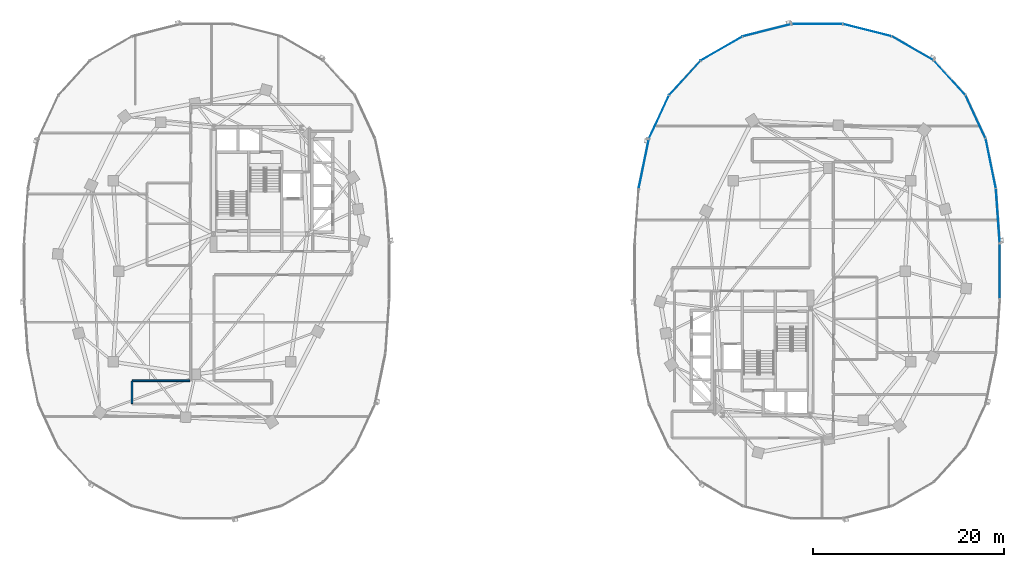
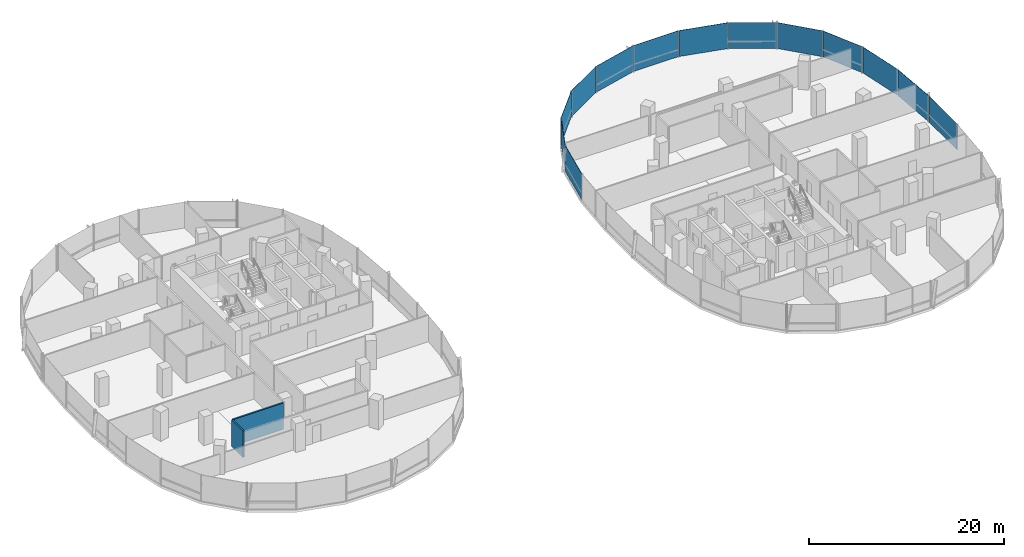
# One storey, part 10 of 21: 13 plates, 2 walls, 3 elements without a shape of their own.
"""IFC4 building model written with IfcOpenShell, lengths in metres."""

import ifcopenshell
import ifcopenshell.guid

model = None  # the IFC model being written
_history = None  # IfcOwnerHistory: only IFC2X3 demands one
_inside = {}  # id of a spatial element -> (the spatial element, [elements in it])
_under = {}  # id of a project, library or spatial element -> (it, [spatial elements below it])
_declared = {}  # id of a project -> (the project, [libraries it declares])
_typed = {}  # id of a type object -> (the type object, [elements of that type])
_made_of = {}  # id of a material, layer set ... -> (it, [elements and type objects made of it])


def new_model(schema):
    """Start an empty IFC model of exactly this schema.

    Asked for "IFC4X3", IfcOpenShell would pick the latest addendum, in which some entities
    have other attributes; the version numbers below select the first issue.
    IFC2X3 requires an IfcOwnerHistory on every rooted entity: one is made here for all.
    """
    global model, _history
    if schema == "IFC4X3":
        model = ifcopenshell.file(schema_version=(4, 3, 0, 0))
    else:
        model = ifcopenshell.file(schema=schema)
    _inside.clear()
    _under.clear()
    _declared.clear()
    _typed.clear()
    _made_of.clear()
    _history = None
    if model.schema == "IFC2X3":
        org = make("IfcOrganization", Name="unknown")
        user = make(
            "IfcPersonAndOrganization",
            ThePerson=make("IfcPerson", FamilyName="unknown"),
            TheOrganization=org,
        )
        app = make(
            "IfcApplication",
            ApplicationDeveloper=org,
            Version="unknown",
            ApplicationFullName="unknown",
            ApplicationIdentifier="unknown",
        )
        _history = make(
            "IfcOwnerHistory",
            OwningUser=user,
            OwningApplication=app,
            ChangeAction="ADDED",
            CreationDate=0,
        )
    return model


def make(cls, **values):
    """One entity of the class cls with the attributes given. An attribute that is None is left unset."""
    return model.create_entity(
        cls, **{name: value for name, value in values.items() if value is not None}
    )


def rooted(cls, **values):
    """An entity with a GlobalId (a new one), such as an element, a storey or a relation."""
    return make(cls, GlobalId=ifcopenshell.guid.new(), OwnerHistory=_history, **values)


def si_unit(unit_type, name, prefix=None):
    """IfcSIUnit, for example si_unit("LENGTHUNIT", "METRE", prefix="MILLI")."""
    return make("IfcSIUnit", UnitType=unit_type, Prefix=prefix, Name=name)


def assignment(units):
    """IfcUnitAssignment: the units of a project."""
    return None if units is None else make("IfcUnitAssignment", Units=units)


def point(xyz):
    """IfcCartesianPoint."""
    return None if xyz is None else make("IfcCartesianPoint", Coordinates=xyz)


def direction(xyz):
    """IfcDirection."""
    return None if xyz is None else make("IfcDirection", DirectionRatios=xyz)


def frame(location, z_axis=None, x_axis=None):
    """IfcAxis2Placement3D, a coordinate frame: its origin and axes. An axis left out is left unset."""
    return make(
        "IfcAxis2Placement3D",
        Location=point(location),
        Axis=direction(z_axis),
        RefDirection=direction(x_axis),
    )


def frame_2d(location, x_axis=None):
    """IfcAxis2Placement2D, a coordinate frame in the plane: its origin and x axis."""
    return make(
        "IfcAxis2Placement2D", Location=point(location), RefDirection=direction(x_axis)
    )


def origin():
    """The frame at (0, 0, 0) with its axes left unset."""
    return frame((0.0, 0.0, 0.0))


def origin_2d():
    """The frame at (0, 0) in the plane with its x axis left unset."""
    return frame_2d((0.0, 0.0))


def place(relative_to, where):
    """IfcLocalPlacement: puts the frame where relative to a parent placement (None: the world)."""
    return make(
        "IfcLocalPlacement", PlacementRelTo=relative_to, RelativePlacement=where
    )


def context(
    kind, dimensions, precision=None, world=None, true_north=None, identifier=None
):
    """IfcGeometricRepresentationContext, for example the 3D "Model" context."""
    return make(
        "IfcGeometricRepresentationContext",
        ContextIdentifier=identifier,
        ContextType=kind,
        CoordinateSpaceDimension=dimensions,
        Precision=precision,
        WorldCoordinateSystem=world,
        TrueNorth=true_north,
    )


def subcontext(parent, identifier, kind, view, scale=None):
    """IfcGeometricRepresentationSubContext, for example "Body" below "Model"."""
    return make(
        "IfcGeometricRepresentationSubContext",
        ContextIdentifier=identifier,
        ContextType=kind,
        ParentContext=parent,
        TargetScale=scale,
        TargetView=view,
    )


def project(units=None, contexts=None):
    """IfcProject with its units and contexts."""
    return rooted(
        "IfcProject",
        Name="project",
        RepresentationContexts=contexts,
        UnitsInContext=assignment(units),
    )


def spatial(cls, under=None, at=None, **own):
    """A site, building, storey or space (cls), placed at a placement, below another one or the project."""
    s = rooted(cls, ObjectPlacement=at, **own)
    if under is not None:
        _under.setdefault(under.id(), (under, []))[1].append(s)
    return s


def profile(cls, at=None, kind="AREA", **sizes):
    """A parametric profile (cls). Its sizes go by their IFC names, for example OverallWidth=200.0."""
    return make(cls, ProfileType=kind, Position=at, **sizes)


def rectangle(**sizes):
    """IfcRectangleProfileDef."""
    return profile("IfcRectangleProfileDef", **sizes)


def extrude(swept, where, along, depth):
    """IfcExtrudedAreaSolid: the profile swept, set in the frame where, extruded along a direction by depth."""
    return make(
        "IfcExtrudedAreaSolid",
        SweptArea=swept,
        Position=where,
        ExtrudedDirection=direction(along),
        Depth=depth,
    )


def shape(context_of_items, identifier, shape_type, items):
    """IfcShapeRepresentation: the items that make up one representation, for example the "Body"."""
    return make(
        "IfcShapeRepresentation",
        ContextOfItems=context_of_items,
        RepresentationIdentifier=identifier,
        RepresentationType=shape_type,
        Items=items,
    )


def material(Name=None, Category=None):
    """IfcMaterial."""
    return make("IfcMaterial", Name=Name, Category=Category)


def layer(
    of_material, thickness, ventilated=None, Name=None, Category=None, Priority=None
):
    """IfcMaterialLayer: one layer of a wall or slab, of a material (None: an air gap)."""
    return make(
        "IfcMaterialLayer",
        Material=of_material,
        LayerThickness=thickness,
        IsVentilated=ventilated,
        Name=Name,
        Category=Category,
        Priority=Priority,
    )


def layer_set(layers, Name=None):
    """IfcMaterialLayerSet."""
    return make("IfcMaterialLayerSet", MaterialLayers=layers, LayerSetName=Name)


def made_of(thing, what):
    """Note that an element or type object is made of a material, layer set ...; save() writes the relation."""
    if what is not None:
        _made_of.setdefault(what.id(), (what, []))[1].append(thing)
    return thing


def type_object(cls, material=None, **own):
    """A type object (cls), such as IfcWallType, which elements share."""
    return made_of(rooted(cls, **own), material)


def element(
    cls,
    number,
    at=None,
    inside=None,
    cuts=None,
    type_object=None,
    material=None,
    context=None,
    identifier="Body",
    shape_type=None,
    held_by="IfcProductDefinitionShape",
    body=None,
    shapes=None,
    **own,
):
    """One element of the class cls, such as IfcWall. Its Tag is "e" and its number.

    at: its placement. inside: the storey or other place that contains it. cuts: it is an
    opening in that element (IfcRelVoidsElement). A single representation is given by context,
    identifier, shape_type and body (its items); several are given by shapes. held_by: the class
    of the entity that holds the representations. save() writes the other relations.
    """
    e = rooted(cls, Tag="e%d" % number, ObjectPlacement=at, **own)
    if body is not None:
        shapes = [shape(context, identifier, shape_type, body)]
    if shapes is not None:
        e.Representation = make(held_by, Representations=shapes)
    if inside is not None:
        _inside.setdefault(inside.id(), (inside, []))[1].append(e)
    if cuts is not None:
        rooted(
            "IfcRelVoidsElement", RelatingBuildingElement=cuts, RelatedOpeningElement=e
        )
    if type_object is not None:
        _typed.setdefault(type_object.id(), (type_object, []))[1].append(e)
    return made_of(e, material)


def aggregate(whole, parts):
    """IfcRelAggregates: a whole, such as a stair, and the parts it consists of."""
    return rooted("IfcRelAggregates", RelatingObject=whole, RelatedObjects=parts)


def save(model, path):
    """Write the relations noted so far, then the file.

    IfcRelAggregates (storeys below a building ...), IfcRelContainedInSpatialStructure (elements
    in a storey), IfcRelDefinesByType, IfcRelAssociatesMaterial and IfcRelDeclares: one each for
    every whole, place, type object, material and project.
    """
    for whole, parts in _under.values():
        aggregate(whole, parts)
    for where, things in _inside.values():
        rooted(
            "IfcRelContainedInSpatialStructure",
            RelatedElements=things,
            RelatingStructure=where,
        )
    for kind, things in _typed.values():
        rooted("IfcRelDefinesByType", RelatedObjects=things, RelatingType=kind)
    for what, things in _made_of.values():
        rooted("IfcRelAssociatesMaterial", RelatedObjects=things, RelatingMaterial=what)
    for by, libraries in _declared.values():
        rooted("IfcRelDeclares", RelatingContext=by, RelatedDefinitions=libraries)
    model.write(path)


model = new_model("IFC4")

# Units and contexts
model_context = context("Model", 3, precision=1e-05, world=origin(), true_north=direction((0.0, 1.0)))
body_context = subcontext(model_context, "Body", "Model", "MODEL_VIEW")
ifc_project = project(units=[si_unit("LENGTHUNIT", "METRE"), si_unit("AREAUNIT", "SQUARE_METRE"), si_unit("VOLUMEUNIT", "CUBIC_METRE"), si_unit("PLANEANGLEUNIT", "RADIAN"), si_unit("MASSUNIT", "GRAM", prefix="KILO"), si_unit("THERMODYNAMICTEMPERATUREUNIT", "KELVIN"), si_unit("POWERUNIT", "WATT")], contexts=[model_context])

# Site, building, storey
site_placement = place(None, origin())
site = spatial("IfcSite", under=ifc_project, at=site_placement, CompositionType="ELEMENT")
building_placement = place(site_placement, origin())
building = spatial("IfcBuilding", under=site, at=building_placement, Name="Cundina Bronze Exchange", CompositionType="ELEMENT")
storey_placement = place(building_placement, frame((0.0, 0.0, 114.199951171875)))
storey = spatial("IfcBuildingStorey", under=building, at=storey_placement, Name="L29", CompositionType="ELEMENT", Elevation=114.199951171875)

# Curtain wall, plates
ifc_material_1 = material(Name="Anodised Bronze Aluminium 6063-T6", Category="aluminium")
curtain_wall_type = type_object("IfcCurtainWallType", Name="CWS-TRD-MID", PredefinedType="NOTDEFINED", material=ifc_material_1)
curtain_wall_1_placement = place(storey_placement, origin())
curtain_wall_1 = element("IfcCurtainWall", 1, at=curtain_wall_1_placement, inside=storey, type_object=curtain_wall_type, Name="L29 CW-03 Curtain Wall Run CWR-L29-E1", PredefinedType="NOTDEFINED")
ifc_material_2 = material(Name="Heat-Strengthened Solar-Control Bronze Safety Glass 28mm", Category="glass")
ifc_layer_1 = layer(ifc_material_2, 0.028076171875, Name="Heat-Strengthened Solar-Control Bronze Safety Glass 28mm", Category="glass")
ifc_layer_set_1 = layer_set([ifc_layer_1], Name="Heat-Strengthened Solar-Control Bronze Safety Glass 28mm")
plate_type_1 = type_object("IfcPlateType", Name="PLT-GLZ-VIS28", PredefinedType="CURTAIN_PANEL", material=ifc_layer_set_1)
plate_1_placement = place(storey_placement, frame((50.18408203125, 11.269775390625, 0.02001953125), z_axis=(0.0, 0.0, 1.0), x_axis=(-0.201419845156, 0.979505000486, 0.0)))
plate_1 = element("IfcPlate", 2, at=plate_1_placement, type_object=plate_type_1, Name="CW-03 Glazed Panel 2", PredefinedType="CURTAIN_PANEL", context=body_context, shape_type="SweptSolid", body=[
    extrude(rectangle(XDim=5.306640625, YDim=0.028076171875, at=origin_2d()), origin(), (0.0, 0.0, 1.0), 3.260009765625),
])
plate_2_placement = place(storey_placement, frame((48.586181640625, 16.177734375, 0.02001953125), z_axis=(0.0, 0.0, 1.0), x_axis=(-0.42084583328, 0.907132175932, 0.0)))
plate_2 = element("IfcPlate", 3, at=plate_2_placement, type_object=plate_type_1, Name="CW-03 Glazed Panel 3", PredefinedType="CURTAIN_PANEL", context=body_context, shape_type="SweptSolid", body=[
    extrude(rectangle(XDim=4.966552734375, YDim=0.028076171875, at=origin_2d()), origin(), (0.0, 0.0, 1.0), 3.260009765625),
])
plate_3_placement = place(storey_placement, frame((45.8740234375, 20.267333984375, 0.02001953125), z_axis=(0.0, 0.0, 1.0), x_axis=(-0.674276610219, 0.73847887777, 0.0)))
plate_3 = element("IfcPlate", 4, at=plate_3_placement, type_object=plate_type_1, Name="CW-03 Glazed Panel 4", PredefinedType="CURTAIN_PANEL", context=body_context, shape_type="SweptSolid", body=[
    extrude(rectangle(XDim=4.86328125, YDim=0.028076171875, at=origin_2d()), origin(), (0.0, 0.0, 1.0), 3.260009765625),
])
plate_4_placement = place(storey_placement, frame((42.019287109375, 23.34423828125, 0.02001953125), z_axis=(0.0, 0.0, 1.0), x_axis=(-0.867105478933, 0.498124571171, 0.0)))
plate_4 = element("IfcPlate", 5, at=plate_4_placement, type_object=plate_type_1, Name="CW-03 Glazed Panel 5", PredefinedType="CURTAIN_PANEL", context=body_context, shape_type="SweptSolid", body=[
    extrude(rectangle(XDim=5.021240234375, YDim=0.028076171875, at=origin_2d()), origin(), (0.0, 0.0, 1.0), 3.260009765625),
])
plate_5_placement = place(storey_placement, frame((32.0, 25.905029296875, 0.02001953125), z_axis=(0.0, 0.0, 1.0), x_axis=(-1.0, 0.0, 0.0)))
plate_5 = element("IfcPlate", 6, at=plate_5_placement, type_object=plate_type_1, Name="CW-03 Glazed Panel 7", PredefinedType="CURTAIN_PANEL", context=body_context, shape_type="SweptSolid", body=[
    extrude(rectangle(XDim=5.323974609375, YDim=0.028076171875, at=origin_2d()), origin(), (0.0, 0.0, 1.0), 3.260009765625),
])

curtain_wall_2_placement = place(storey_placement, origin())
curtain_wall_2 = element("IfcCurtainWall", 7, at=curtain_wall_2_placement, inside=storey, type_object=curtain_wall_type, Name="L29 CW-03 Curtain Wall Run CWR-L29-E2", PredefinedType="NOTDEFINED")
plate_6_placement = place(storey_placement, frame((26.744384765625, 25.256591796875, 0.02001953125), z_axis=(0.0, 0.0, 1.0), x_axis=(-0.969488149345, -0.245138182011, 0.0)))
plate_6 = element("IfcPlate", 8, at=plate_6_placement, type_object=plate_type_1, Name="CW-03 Glazed Panel 1", PredefinedType="CURTAIN_PANEL", context=body_context, shape_type="SweptSolid", body=[
    extrude(rectangle(XDim=5.2333984375, YDim=0.028076171875, at=origin_2d()), origin(), (0.0, 0.0, 1.0), 3.260009765625),
])
plate_7_placement = place(storey_placement, frame((21.980712890625, 23.34423828125, 0.02001953125), z_axis=(0.0, 0.0, 1.0), x_axis=(-0.867105478933, -0.498124571171, 0.0)))
plate_7 = element("IfcPlate", 9, at=plate_7_placement, type_object=plate_type_1, Name="CW-03 Glazed Panel 2", PredefinedType="CURTAIN_PANEL", context=body_context, shape_type="SweptSolid", body=[
    extrude(rectangle(XDim=5.021240234375, YDim=0.028076171875, at=origin_2d()), origin(), (0.0, 0.0, 1.0), 3.260009765625),
])
plate_8_placement = place(storey_placement, frame((18.1259765625, 20.267333984375, 0.02001953125), z_axis=(0.0, 0.0, 1.0), x_axis=(-0.674276610219, -0.73847887777, 0.0)))
plate_8 = element("IfcPlate", 10, at=plate_8_placement, type_object=plate_type_1, Name="CW-03 Glazed Panel 3", PredefinedType="CURTAIN_PANEL", context=body_context, shape_type="SweptSolid", body=[
    extrude(rectangle(XDim=4.86328125, YDim=0.028076171875, at=origin_2d()), origin(), (0.0, 0.0, 1.0), 3.260009765625),
])
plate_9_placement = place(storey_placement, frame((15.413818359375, 16.177734375, 0.02001953125), z_axis=(0.0, 0.0, 1.0), x_axis=(-0.42084583328, -0.907132175932, 0.0)))
plate_9 = element("IfcPlate", 11, at=plate_9_placement, type_object=plate_type_1, Name="CW-03 Glazed Panel 4", PredefinedType="CURTAIN_PANEL", context=body_context, shape_type="SweptSolid", body=[
    extrude(rectangle(XDim=4.966552734375, YDim=0.028076171875, at=origin_2d()), origin(), (0.0, 0.0, 1.0), 3.260009765625),
])

# Curtain wall, plate
curtain_wall_3_placement = place(storey_placement, origin())
curtain_wall_3 = element("IfcCurtainWall", 12, at=curtain_wall_3_placement, inside=storey, type_object=curtain_wall_type, Name="L29 CW-03 Curtain Wall Run CWR-L29-E4", PredefinedType="NOTDEFINED")
plate_10_placement = place(storey_placement, frame((51.1279296875, 0.0, 0.02001953125), z_axis=(0.0, 0.0, 1.0), x_axis=(0.0, 1.0, 0.0)))
plate_10 = element("IfcPlate", 13, at=plate_10_placement, type_object=plate_type_1, Name="CW-03 Glazed Panel 7", PredefinedType="CURTAIN_PANEL", context=body_context, shape_type="SweptSolid", body=[
    extrude(rectangle(XDim=5.77587890625, YDim=0.028076171875, at=origin_2d()), origin(), (0.0, 0.0, 1.0), 3.260009765625),
])
aggregate(curtain_wall_3, [plate_10])

# Plate
ifc_material_3 = material(Name="Dark Bronze Spandrel Glass Panel 32mm", Category="glass")
ifc_layer_2 = layer(ifc_material_3, 0.031982421875, Name="Dark Bronze Spandrel Glass Panel 32mm", Category="glass")
ifc_layer_set_2 = layer_set([ifc_layer_2], Name="Dark Bronze Spandrel Glass Panel 32mm")
plate_type_2 = type_object("IfcPlateType", Name="PLT-SPN-BRZ32", PredefinedType="CURTAIN_PANEL", material=ifc_layer_set_2)
plate_11_placement = place(storey_placement, frame((50.9267578125, 5.783935546875, 0.02001953125), z_axis=(0.0, 0.0, 1.0), x_axis=(-0.070278787473, 0.997527389113, 0.0)))
plate_11 = element("IfcPlate", 14, at=plate_11_placement, type_object=plate_type_2, Name="CW-03 Glazed Panel 1", PredefinedType="CURTAIN_PANEL", context=body_context, shape_type="SweptSolid", body=[
    extrude(rectangle(XDim=5.644287109375, YDim=0.031982421875, at=origin_2d()), origin(), (0.0, 0.0, 1.0), 3.260009765625),
])

plate_12_placement = place(storey_placement, frame((37.255615234375, 25.256591796875, 0.02001953125), z_axis=(0.0, 0.0, 1.0), x_axis=(-0.969488149345, 0.245138182011, 0.0)))
plate_12 = element("IfcPlate", 15, at=plate_12_placement, type_object=plate_type_2, Name="CW-03 Glazed Panel 6", PredefinedType="CURTAIN_PANEL", context=body_context, shape_type="SweptSolid", body=[
    extrude(rectangle(XDim=5.2333984375, YDim=0.031982421875, at=origin_2d()), origin(), (0.0, 0.0, 1.0), 3.260009765625),
])

aggregate(curtain_wall_1, [plate_11, plate_1, plate_2, plate_3, plate_4, plate_12, plate_5])

plate_13_placement = place(storey_placement, frame((13.81591796875, 11.269775390625, 0.02001953125), z_axis=(0.0, 0.0, 1.0), x_axis=(-0.201419845156, -0.979505000486, 0.0)))
plate_13 = element("IfcPlate", 16, at=plate_13_placement, type_object=plate_type_2, Name="CW-03 Glazed Panel 5", PredefinedType="CURTAIN_PANEL", context=body_context, shape_type="SweptSolid", body=[
    extrude(rectangle(XDim=5.306640625, YDim=0.031982421875, at=origin_2d()), origin(), (0.0, 0.0, 1.0), 3.260009765625),
])

aggregate(curtain_wall_2, [plate_6, plate_7, plate_8, plate_9, plate_13])

# Walls
ifc_material_4 = material(Name="Gypsum Fireboard Partition EI120")
ifc_layer_3 = layer(ifc_material_4, 0.179931640625, Name="Gypsum Fireboard Partition EI120")
ifc_layer_set_3 = layer_set([ifc_layer_3], Name="Gypsum Fireboard Partition EI120")
wall_type = type_object("IfcWallType", Name="WL-COR-180", PredefinedType="PARTITIONING", material=ifc_layer_set_3)
wall_1_placement = place(storey_placement, frame((-33.75, -11.47998046875, 0.0), z_axis=(0.0, 0.0, 1.0), x_axis=(-1.0, 0.0, 0.0)))
element("IfcWall", 17, at=wall_1_placement, inside=storey, type_object=wall_type, Name="L29 Interior Partition 022", PredefinedType="PARTITIONING", context=body_context, shape_type="SweptSolid", body=[
    extrude(rectangle(XDim=6.028564453125, YDim=0.179931640625, at=frame_2d((3.01416015625, 0.0))), origin(), (0.0, 0.0, 1.0), 3.300048828125),
])
wall_2_placement = place(storey_placement, frame((-39.820068359375, -11.521484375, 0.0), z_axis=(0.0, 0.0, 1.0), x_axis=(0.0, -1.0, 0.0)))
element("IfcWall", 18, at=wall_2_placement, inside=storey, type_object=wall_type, Name="L29 Interior Partition 026", PredefinedType="PARTITIONING", context=body_context, shape_type="SweptSolid", body=[
    extrude(rectangle(XDim=2.35693359375, YDim=0.179931640625, at=frame_2d((1.178466796875, 0.0))), origin(), (0.0, 0.0, 1.0), 3.300048828125),
])

save(model, "model.ifc")
